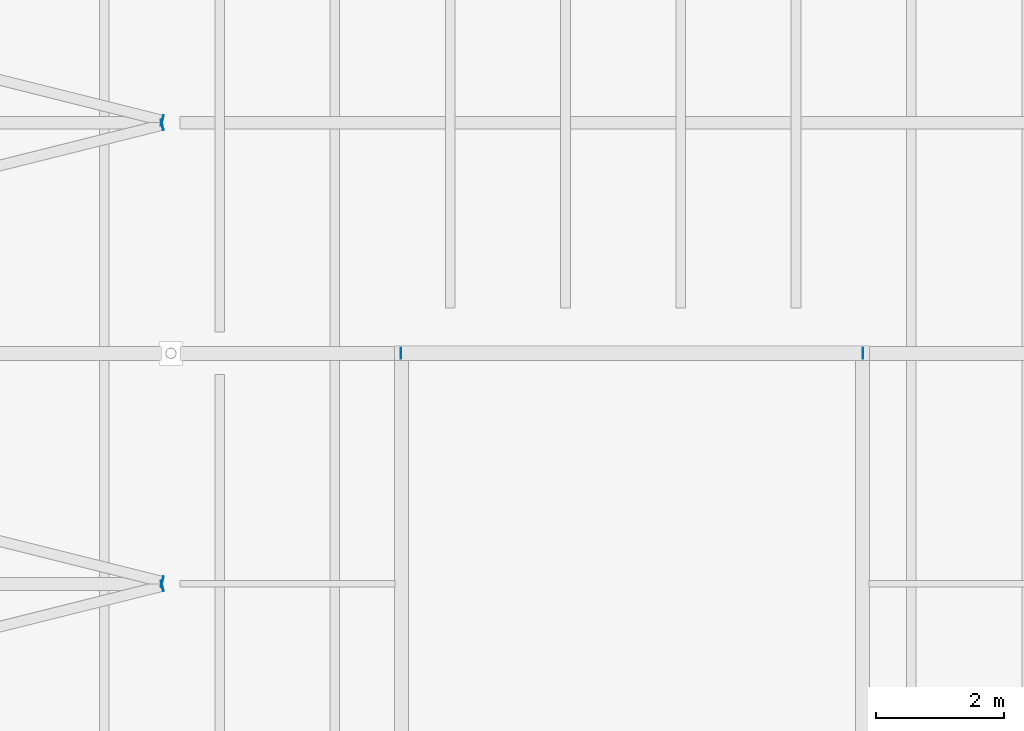
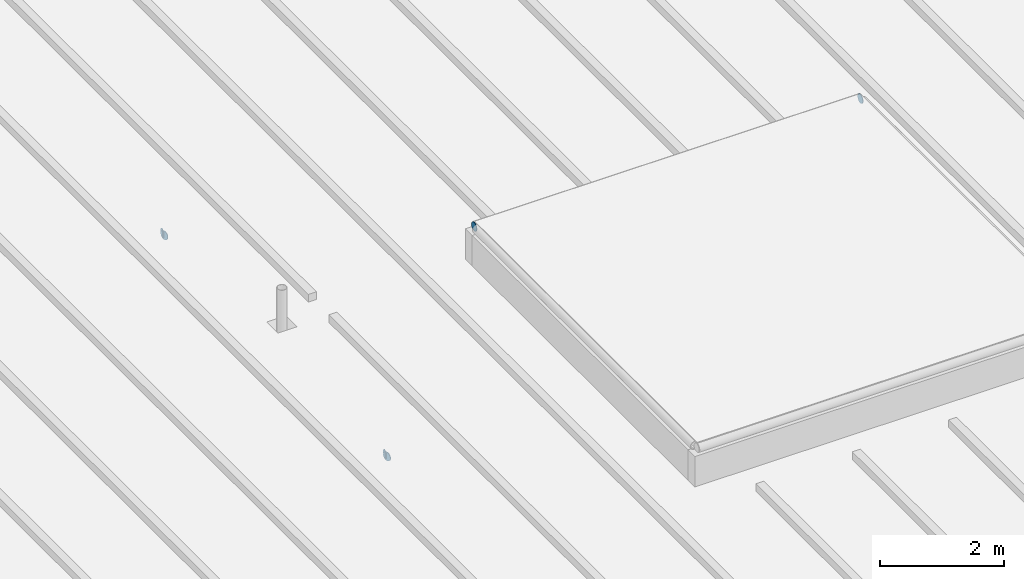
# One storey, part 94 of 120: 6 discrete accessories.
"""IFC4 building model written with IfcOpenShell, lengths in metres."""

from ifc_helpers import new_model, si_unit, direction, frame, origin, origin_2d, place, context, subcontext, project, spatial, circle, extrude, material, layer, layer_set, type_object, element, save


model = new_model("IFC4")

# Units and contexts
model_context = context("Model", 3, precision=1e-05, world=origin(), true_north=direction((0.0, 1.0)))
body_context = subcontext(model_context, "Body", "Model", "MODEL_VIEW")
ifc_project = project(units=[si_unit("LENGTHUNIT", "METRE"), si_unit("AREAUNIT", "SQUARE_METRE"), si_unit("VOLUMEUNIT", "CUBIC_METRE"), si_unit("PLANEANGLEUNIT", "RADIAN"), si_unit("MASSUNIT", "GRAM", prefix="KILO")], contexts=[model_context])

# Site, building, storey
site_placement = place(None, origin())
site = spatial("IfcSite", under=ifc_project, at=site_placement, CompositionType="ELEMENT")
building_placement = place(site_placement, origin())
building = spatial("IfcBuilding", under=site, at=building_placement, Name="Kupolbacken Congress Centre", CompositionType="ELEMENT")
storey_placement = place(building_placement, frame((0.0, 0.0, 21.60009765625)))
storey = spatial("IfcBuildingStorey", under=building, at=storey_placement, Name="L06", CompositionType="ELEMENT", Elevation=21.60009765625)

# Discrete accessories
ifc_material = material(Name="Steel S355", Category="steel")
ifc_layer = layer(ifc_material, 0.011962890625)
ifc_layer_set = layer_set([ifc_layer], Name="Steel S355")
discrete_accessory_type = type_object("IfcDiscreteAccessoryType", Name="EC2 tube end cap plate 168 dia x 12", PredefinedType="BRACKET", material=ifc_layer_set)
for number, where, z_axis, x_axis, name in (
    (1, (165.459228515625, 57.564697265625, -0.084228515625), (0.970142500145, 0.242535625036, 0.0), (-0.242535625036, 0.970142500145, 0.0), "End cap plate HR/RB/05-03 B"),
    (2, (165.459228515625, 57.63525390625, -0.084228515625), (0.970142500145, -0.242535625036, 0.0), (0.242535625036, 0.970142500145, 0.0), "End cap plate HR/RB/05-04 A"),
    (3, (165.459228515625, 64.764892578125, -0.084228515625), (0.974732318528, 0.223376156329, 0.0), (-0.223376156329, 0.974732318528, 0.0), "End cap plate HR/RB/05-05 B"),
    (4, (165.459228515625, 64.835205078125, -0.084228515625), (0.970142500145, -0.242535625036, 0.0), (0.242535625036, 0.970142500145, 0.0), "End cap plate HR/RB/05-06 A"),
    (5, (169.199951171875, 61.199951171875, 0.944091796875), (-1.0, 0.0, 0.0), (0.0, -1.0, 0.0), "End cap plate RD/RL7/FN A"),
):
    element("IfcDiscreteAccessory", number, at=place(storey_placement, frame(where, z_axis=z_axis, x_axis=x_axis)), inside=storey, type_object=discrete_accessory_type, Name=name, PredefinedType="BRACKET", context=body_context, shape_type="SweptSolid", body=[
        extrude(circle(Radius=0.084228515625, at=origin_2d()), origin(), (0.0, 0.0, 1.0), 0.011962890625),
    ])
discrete_accessory_placement = place(storey_placement, frame((176.39990234375, 61.199951171875, 0.944091796875), z_axis=(1.0, 0.0, 0.0), x_axis=(0.0, 1.0, 0.0)))
element("IfcDiscreteAccessory", 6, at=discrete_accessory_placement, inside=storey, type_object=discrete_accessory_type, Name="End cap plate RD/RL7/FN B", PredefinedType="BRACKET", context=body_context, shape_type="SweptSolid", body=[
    extrude(circle(Radius=0.084228515625, at=origin_2d()), origin(), (0.0, 0.0, 1.0), 0.01220703125),
])

save(model, "model.ifc")
